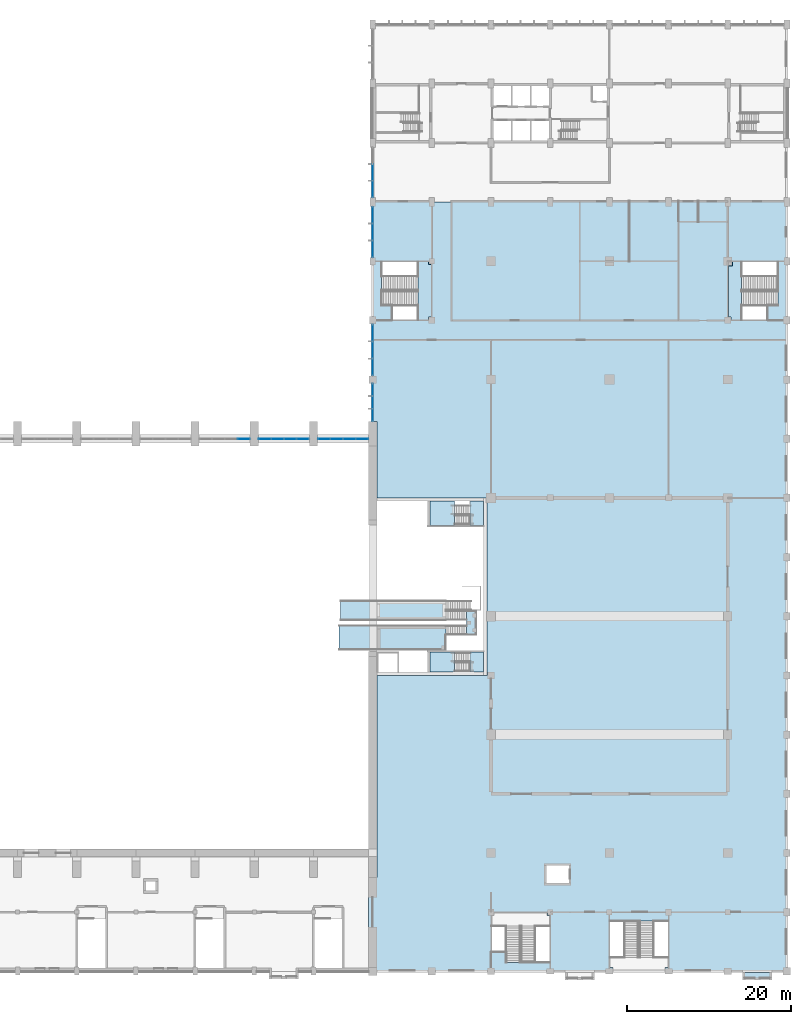
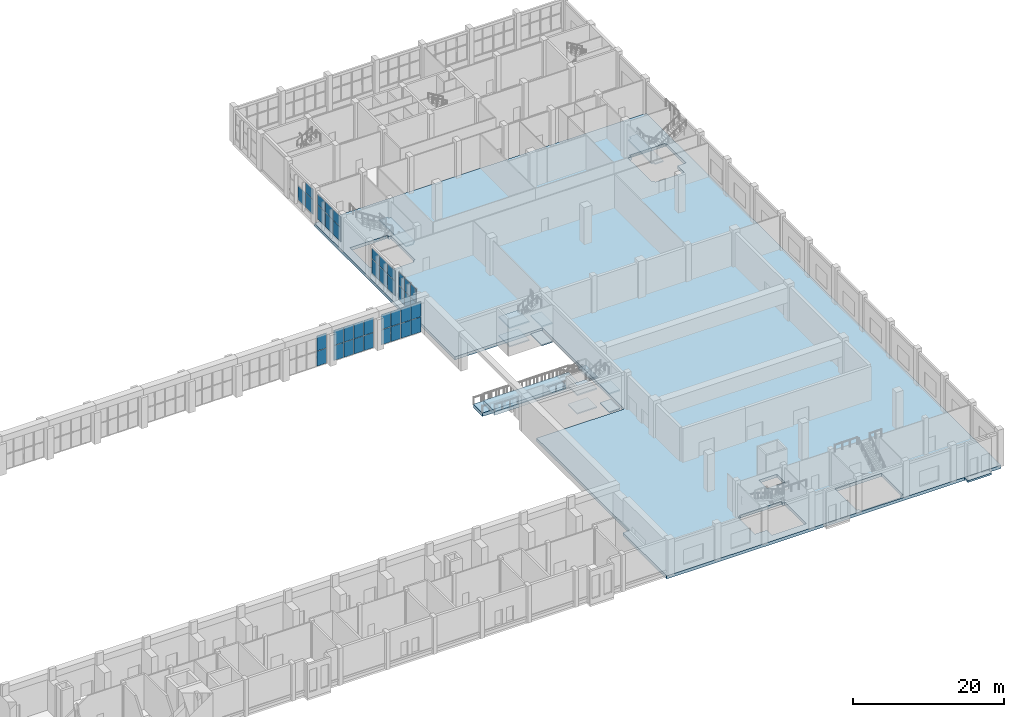
# One storey, part 23 of 44: 39 plates, 15 slabs, 12 elements without a shape of their own.
"""IFC4 building model written with IfcOpenShell, lengths in metres."""

from ifc_helpers import new_model, si_unit, direction, frame, origin, origin_2d, place, context, subcontext, project, spatial, polyline, rectangle, outline, extrude, material, layer, layer_set, type_object, element, aggregate, save


model = new_model("IFC4")

# Units and contexts
model_context = context("Model", 3, precision=1e-05, world=origin(), true_north=direction((0.0, 1.0)))
body_context = subcontext(model_context, "Body", "Model", "MODEL_VIEW")
ifc_project = project(units=[si_unit("LENGTHUNIT", "METRE"), si_unit("AREAUNIT", "SQUARE_METRE"), si_unit("VOLUMEUNIT", "CUBIC_METRE"), si_unit("PLANEANGLEUNIT", "RADIAN"), si_unit("MASSUNIT", "GRAM", prefix="KILO")], contexts=[model_context])

# Site, building, storey
site_placement = place(None, origin())
site = spatial("IfcSite", under=ifc_project, at=site_placement, CompositionType="ELEMENT")
building_placement = place(site_placement, origin())
building = spatial("IfcBuilding", under=site, at=building_placement, Name="Vermilion Court Aquatics Centre", CompositionType="ELEMENT")
storey_placement = place(building_placement, frame((0.0, 0.0, 6.0)))
storey = spatial("IfcBuildingStorey", under=building, at=storey_placement, Name="L01", CompositionType="ELEMENT", Elevation=6.0)

# Slabs
ifc_material_1 = material(Name="Concrete 5000 psi", Category="concrete")
ifc_layer_1 = layer(ifc_material_1, 0.199951171875)
ifc_layer_set_1 = layer_set([ifc_layer_1], Name="Diving Tower stair landing 200")
slab_type_1 = type_object("IfcSlabType", Name="Diving Tower stair landing 200", PredefinedType="LANDING", material=ifc_layer_set_1)
slab_1_placement = place(storey_placement, frame((0.0, 0.0, -0.199951171875)))
element("IfcSlab", 1, at=slab_1_placement, inside=storey, type_object=slab_type_1, Name="Diving Stair 1 floor landing L01", PredefinedType="LANDING", context=body_context, shape_type="SweptSolid", body=[
    extrude(outline(polyline([(155.85009765625, 36.39990234375), (157.5, 36.39990234375), (157.5, 38.875), (155.85009765625, 38.875), (155.85009765625, 36.39990234375)])), origin(), (0.0, 0.0, 1.0), 0.199951171875),
])
slab_2_placement = place(storey_placement, frame((0.0, 0.0, -0.199951171875)))
element("IfcSlab", 2, at=slab_2_placement, inside=storey, type_object=slab_type_1, Name="Diving Stair 2 floor landing L01", PredefinedType="LANDING", context=body_context, shape_type="SweptSolid", body=[
    extrude(outline(polyline([(155.85009765625, 54.27490234375), (157.5, 54.27490234375), (157.5, 57.199951171875), (155.85009765625, 57.199951171875), (155.85009765625, 54.27490234375)])), origin(), (0.0, 0.0, 1.0), 0.199951171875),
])

# Stair, slabs
ifc_material_2 = material(Name="Concrete 5000 psi", Category="concrete")
stair_type_1 = type_object("IfcStairType", Name="Diving Tower stair 1130", PredefinedType="HALF_TURN_STAIR", material=ifc_material_2)
stair_1_placement = place(storey_placement, origin())
stair_1 = element("IfcStair", 3, at=stair_1_placement, inside=storey, type_object=stair_type_1, Name="Exit stair ST-D1 L01", PredefinedType="HALF_TURN_STAIR")
slab_3_placement = place(storey_placement, frame((0.0, 0.0, 1.300048828125)))
slab_3 = element("IfcSlab", 4, at=slab_3_placement, type_object=slab_type_1, Name="ST-D1 landing 1", PredefinedType="LANDING", context=body_context, shape_type="SweptSolid", body=[
    extrude(outline(polyline([(150.949951171875, 36.39990234375), (153.9599609375, 36.39990234375), (153.9599609375, 38.875), (150.949951171875, 38.875), (150.949951171875, 36.39990234375)])), origin(), (0.0, 0.0, 1.0), 0.199951171875),
])
slab_4_placement = place(storey_placement, frame((0.0, 0.0, 2.800048828125)))
slab_4 = element("IfcSlab", 5, at=slab_4_placement, type_object=slab_type_1, Name="ST-D1 landing 2", PredefinedType="LANDING", context=body_context, shape_type="SweptSolid", body=[
    extrude(outline(polyline([(155.85009765625, 36.39990234375), (157.5, 36.39990234375), (157.5, 38.875), (155.85009765625, 38.875), (155.85009765625, 36.39990234375)])), origin(), (0.0, 0.0, 1.0), 0.199951171875),
])
slab_5_placement = place(storey_placement, frame((0.0, 0.0, 4.300048828125)))
slab_5 = element("IfcSlab", 6, at=slab_5_placement, type_object=slab_type_1, Name="ST-D1 landing 3", PredefinedType="LANDING", context=body_context, shape_type="SweptSolid", body=[
    extrude(outline(polyline([(150.949951171875, 36.39990234375), (153.9599609375, 36.39990234375), (153.9599609375, 38.875), (150.949951171875, 38.875), (150.949951171875, 36.39990234375)])), origin(), (0.0, 0.0, 1.0), 0.199951171875),
])
aggregate(stair_1, [slab_3, slab_4, slab_5])

stair_2_placement = place(storey_placement, origin())
stair_2 = element("IfcStair", 7, at=stair_2_placement, inside=storey, type_object=stair_type_1, Name="Exit stair ST-D2 L01", PredefinedType="HALF_TURN_STAIR")
slab_6_placement = place(storey_placement, frame((0.0, 0.0, 1.300048828125)))
slab_6 = element("IfcSlab", 8, at=slab_6_placement, type_object=slab_type_1, Name="ST-D2 landing 1", PredefinedType="LANDING", context=body_context, shape_type="SweptSolid", body=[
    extrude(outline(polyline([(150.949951171875, 54.27490234375), (153.9599609375, 54.27490234375), (153.9599609375, 57.199951171875), (150.949951171875, 57.199951171875), (150.949951171875, 54.27490234375)])), origin(), (0.0, 0.0, 1.0), 0.199951171875),
])
slab_7_placement = place(storey_placement, frame((0.0, 0.0, 2.800048828125)))
slab_7 = element("IfcSlab", 9, at=slab_7_placement, type_object=slab_type_1, Name="ST-D2 landing 2", PredefinedType="LANDING", context=body_context, shape_type="SweptSolid", body=[
    extrude(outline(polyline([(155.85009765625, 54.27490234375), (157.5, 54.27490234375), (157.5, 57.199951171875), (155.85009765625, 57.199951171875), (155.85009765625, 54.27490234375)])), origin(), (0.0, 0.0, 1.0), 0.199951171875),
])
slab_8_placement = place(storey_placement, frame((0.0, 0.0, 4.300048828125)))
slab_8 = element("IfcSlab", 10, at=slab_8_placement, type_object=slab_type_1, Name="ST-D2 landing 3", PredefinedType="LANDING", context=body_context, shape_type="SweptSolid", body=[
    extrude(outline(polyline([(150.949951171875, 54.27490234375), (153.9599609375, 54.27490234375), (153.9599609375, 57.199951171875), (150.949951171875, 57.199951171875), (150.949951171875, 54.27490234375)])), origin(), (0.0, 0.0, 1.0), 0.199951171875),
])
aggregate(stair_2, [slab_6, slab_7, slab_8])

# Curtain wall, plates
ifc_material_3 = material(Name="Aluminium 6063-T5", Category="aluminium")
curtain_wall_type_1 = type_object("IfcCurtainWallType", Name="Envelope curtain wall hall clerestory L01", PredefinedType="NOTDEFINED", material=ifc_material_3)
curtain_wall_1_placement = place(storey_placement, origin())
curtain_wall_1 = element("IfcCurtainWall", 11, at=curtain_wall_1_placement, inside=storey, type_object=curtain_wall_type_1, Name="Hall clerestory bay 16 L01", PredefinedType="NOTDEFINED")
ifc_material_4 = material(Name="Glazing", Category="glass")
ifc_layer_2 = layer(ifc_material_4, 0.06005859375)
ifc_layer_set_2 = layer_set([ifc_layer_2], Name="Envelope laminated glazing panel 60")
plate_type_1 = type_object("IfcPlateType", Name="Envelope laminated glazing panel 60", PredefinedType="CURTAIN_PANEL", material=ifc_layer_set_2)
plate_1_placement = place(storey_placement, frame((128.31005859375, 64.800048828125, 0.06005859375), z_axis=(0.0, 0.0, 1.0), x_axis=(1.0, 0.0, 0.0)))
plate_1 = element("IfcPlate", 12, at=plate_1_placement, type_object=plate_type_1, Name="ECW2 panel 4.1", PredefinedType="CURTAIN_PANEL", context=body_context, shape_type="SweptSolid", body=[
    extrude(rectangle(XDim=1.4599609375, YDim=0.06005859375, at=origin_2d()), origin(), (0.0, 0.0, 1.0), 2.409912109375),
])
plate_2_placement = place(storey_placement, frame((128.31005859375, 64.800048828125, 2.5302734375), z_axis=(0.0, 0.0, 1.0), x_axis=(1.0, 0.0, 0.0)))
plate_2 = element("IfcPlate", 13, at=plate_2_placement, type_object=plate_type_1, Name="ECW2 panel 4.2", PredefinedType="CURTAIN_PANEL", context=body_context, shape_type="SweptSolid", body=[
    extrude(rectangle(XDim=1.4599609375, YDim=0.06005859375, at=origin_2d()), origin(), (0.0, 0.0, 1.0), 2.409912109375),
])
aggregate(curtain_wall_1, [plate_1, plate_2])

curtain_wall_2_placement = place(storey_placement, origin())
curtain_wall_2 = element("IfcCurtainWall", 14, at=curtain_wall_2_placement, inside=storey, type_object=curtain_wall_type_1, Name="Hall clerestory bay 17 L01", PredefinedType="NOTDEFINED")
plate_3_placement = place(storey_placement, frame((130.889892578125, 64.800048828125, 0.06005859375), z_axis=(0.0, 0.0, 1.0), x_axis=(1.0, 0.0, 0.0)))
plate_3 = element("IfcPlate", 15, at=plate_3_placement, type_object=plate_type_1, Name="ECW2 panel 1.1", PredefinedType="CURTAIN_PANEL", context=body_context, shape_type="SweptSolid", body=[
    extrude(rectangle(XDim=1.4599609375, YDim=0.06005859375, at=origin_2d()), origin(), (0.0, 0.0, 1.0), 2.409912109375),
])
plate_4_placement = place(storey_placement, frame((130.889892578125, 64.800048828125, 2.5302734375), z_axis=(0.0, 0.0, 1.0), x_axis=(1.0, 0.0, 0.0)))
plate_4 = element("IfcPlate", 16, at=plate_4_placement, type_object=plate_type_1, Name="ECW2 panel 1.2", PredefinedType="CURTAIN_PANEL", context=body_context, shape_type="SweptSolid", body=[
    extrude(rectangle(XDim=1.4599609375, YDim=0.06005859375, at=origin_2d()), origin(), (0.0, 0.0, 1.0), 2.409912109375),
])
plate_5_placement = place(storey_placement, frame((132.425048828125, 64.800048828125, 0.06005859375), z_axis=(0.0, 0.0, 1.0), x_axis=(1.0, 0.0, 0.0)))
plate_5 = element("IfcPlate", 17, at=plate_5_placement, type_object=plate_type_1, Name="ECW2 panel 2.1", PredefinedType="CURTAIN_PANEL", context=body_context, shape_type="SweptSolid", body=[
    extrude(rectangle(XDim=1.489990234375, YDim=0.06005859375, at=origin_2d()), origin(), (0.0, 0.0, 1.0), 2.409912109375),
])
plate_6_placement = place(storey_placement, frame((132.425048828125, 64.800048828125, 2.5302734375), z_axis=(0.0, 0.0, 1.0), x_axis=(1.0, 0.0, 0.0)))
plate_6 = element("IfcPlate", 18, at=plate_6_placement, type_object=plate_type_1, Name="ECW2 panel 2.2", PredefinedType="CURTAIN_PANEL", context=body_context, shape_type="SweptSolid", body=[
    extrude(rectangle(XDim=1.489990234375, YDim=0.06005859375, at=origin_2d()), origin(), (0.0, 0.0, 1.0), 2.409912109375),
])
plate_7_placement = place(storey_placement, frame((133.97509765625, 64.800048828125, 0.06005859375), z_axis=(0.0, 0.0, 1.0), x_axis=(1.0, 0.0, 0.0)))
plate_7 = element("IfcPlate", 19, at=plate_7_placement, type_object=plate_type_1, Name="ECW2 panel 3.1", PredefinedType="CURTAIN_PANEL", context=body_context, shape_type="SweptSolid", body=[
    extrude(rectangle(XDim=1.489990234375, YDim=0.06005859375, at=origin_2d()), origin(), (0.0, 0.0, 1.0), 2.409912109375),
])
plate_8_placement = place(storey_placement, frame((133.97509765625, 64.800048828125, 2.5302734375), z_axis=(0.0, 0.0, 1.0), x_axis=(1.0, 0.0, 0.0)))
plate_8 = element("IfcPlate", 20, at=plate_8_placement, type_object=plate_type_1, Name="ECW2 panel 3.2", PredefinedType="CURTAIN_PANEL", context=body_context, shape_type="SweptSolid", body=[
    extrude(rectangle(XDim=1.489990234375, YDim=0.06005859375, at=origin_2d()), origin(), (0.0, 0.0, 1.0), 2.409912109375),
])
plate_9_placement = place(storey_placement, frame((135.510009765625, 64.800048828125, 0.06005859375), z_axis=(0.0, 0.0, 1.0), x_axis=(1.0, 0.0, 0.0)))
plate_9 = element("IfcPlate", 21, at=plate_9_placement, type_object=plate_type_1, Name="ECW2 panel 4.1", PredefinedType="CURTAIN_PANEL", context=body_context, shape_type="SweptSolid", body=[
    extrude(rectangle(XDim=1.4599609375, YDim=0.06005859375, at=origin_2d()), origin(), (0.0, 0.0, 1.0), 2.409912109375),
])
plate_10_placement = place(storey_placement, frame((135.510009765625, 64.800048828125, 2.5302734375), z_axis=(0.0, 0.0, 1.0), x_axis=(1.0, 0.0, 0.0)))
plate_10 = element("IfcPlate", 22, at=plate_10_placement, type_object=plate_type_1, Name="ECW2 panel 4.2", PredefinedType="CURTAIN_PANEL", context=body_context, shape_type="SweptSolid", body=[
    extrude(rectangle(XDim=1.4599609375, YDim=0.06005859375, at=origin_2d()), origin(), (0.0, 0.0, 1.0), 2.409912109375),
])
aggregate(curtain_wall_2, [plate_3, plate_4, plate_5, plate_6, plate_7, plate_8, plate_9, plate_10])

curtain_wall_3_placement = place(storey_placement, origin())
curtain_wall_3 = element("IfcCurtainWall", 23, at=curtain_wall_3_placement, inside=storey, type_object=curtain_wall_type_1, Name="Hall clerestory bay 18 L01", PredefinedType="NOTDEFINED")
plate_11_placement = place(storey_placement, frame((138.090087890625, 64.800048828125, 0.06005859375), z_axis=(0.0, 0.0, 1.0), x_axis=(1.0, 0.0, 0.0)))
plate_11 = element("IfcPlate", 24, at=plate_11_placement, type_object=plate_type_1, Name="ECW2 panel 1.1", PredefinedType="CURTAIN_PANEL", context=body_context, shape_type="SweptSolid", body=[
    extrude(rectangle(XDim=1.4599609375, YDim=0.06005859375, at=origin_2d()), origin(), (0.0, 0.0, 1.0), 2.409912109375),
])
plate_12_placement = place(storey_placement, frame((138.090087890625, 64.800048828125, 2.5302734375), z_axis=(0.0, 0.0, 1.0), x_axis=(1.0, 0.0, 0.0)))
plate_12 = element("IfcPlate", 25, at=plate_12_placement, type_object=plate_type_1, Name="ECW2 panel 1.2", PredefinedType="CURTAIN_PANEL", context=body_context, shape_type="SweptSolid", body=[
    extrude(rectangle(XDim=1.4599609375, YDim=0.06005859375, at=origin_2d()), origin(), (0.0, 0.0, 1.0), 2.409912109375),
])
plate_13_placement = place(storey_placement, frame((139.625, 64.800048828125, 0.06005859375), z_axis=(0.0, 0.0, 1.0), x_axis=(1.0, 0.0, 0.0)))
plate_13 = element("IfcPlate", 26, at=plate_13_placement, type_object=plate_type_1, Name="ECW2 panel 2.1", PredefinedType="CURTAIN_PANEL", context=body_context, shape_type="SweptSolid", body=[
    extrude(rectangle(XDim=1.489990234375, YDim=0.06005859375, at=origin_2d()), origin(), (0.0, 0.0, 1.0), 2.409912109375),
])
plate_14_placement = place(storey_placement, frame((139.625, 64.800048828125, 2.5302734375), z_axis=(0.0, 0.0, 1.0), x_axis=(1.0, 0.0, 0.0)))
plate_14 = element("IfcPlate", 27, at=plate_14_placement, type_object=plate_type_1, Name="ECW2 panel 2.2", PredefinedType="CURTAIN_PANEL", context=body_context, shape_type="SweptSolid", body=[
    extrude(rectangle(XDim=1.489990234375, YDim=0.06005859375, at=origin_2d()), origin(), (0.0, 0.0, 1.0), 2.409912109375),
])
plate_15_placement = place(storey_placement, frame((141.175048828125, 64.800048828125, 0.06005859375), z_axis=(0.0, 0.0, 1.0), x_axis=(1.0, 0.0, 0.0)))
plate_15 = element("IfcPlate", 28, at=plate_15_placement, type_object=plate_type_1, Name="ECW2 panel 3.1", PredefinedType="CURTAIN_PANEL", context=body_context, shape_type="SweptSolid", body=[
    extrude(rectangle(XDim=1.489990234375, YDim=0.06005859375, at=origin_2d()), origin(), (0.0, 0.0, 1.0), 2.409912109375),
])
plate_16_placement = place(storey_placement, frame((141.175048828125, 64.800048828125, 2.5302734375), z_axis=(0.0, 0.0, 1.0), x_axis=(1.0, 0.0, 0.0)))
plate_16 = element("IfcPlate", 29, at=plate_16_placement, type_object=plate_type_1, Name="ECW2 panel 3.2", PredefinedType="CURTAIN_PANEL", context=body_context, shape_type="SweptSolid", body=[
    extrude(rectangle(XDim=1.489990234375, YDim=0.06005859375, at=origin_2d()), origin(), (0.0, 0.0, 1.0), 2.409912109375),
])
plate_17_placement = place(storey_placement, frame((142.7099609375, 64.800048828125, 0.06005859375), z_axis=(0.0, 0.0, 1.0), x_axis=(1.0, 0.0, 0.0)))
plate_17 = element("IfcPlate", 30, at=plate_17_placement, type_object=plate_type_1, Name="ECW2 panel 4.1", PredefinedType="CURTAIN_PANEL", context=body_context, shape_type="SweptSolid", body=[
    extrude(rectangle(XDim=1.4599609375, YDim=0.06005859375, at=origin_2d()), origin(), (0.0, 0.0, 1.0), 2.409912109375),
])
plate_18_placement = place(storey_placement, frame((142.7099609375, 64.800048828125, 2.5302734375), z_axis=(0.0, 0.0, 1.0), x_axis=(1.0, 0.0, 0.0)))
plate_18 = element("IfcPlate", 31, at=plate_18_placement, type_object=plate_type_1, Name="ECW2 panel 4.2", PredefinedType="CURTAIN_PANEL", context=body_context, shape_type="SweptSolid", body=[
    extrude(rectangle(XDim=1.4599609375, YDim=0.06005859375, at=origin_2d()), origin(), (0.0, 0.0, 1.0), 2.409912109375),
])
aggregate(curtain_wall_3, [plate_11, plate_12, plate_13, plate_14, plate_15, plate_16, plate_17, plate_18])

# Slabs
ifc_material_5 = material(Name="Concrete 5000 psi", Category="concrete")
ifc_layer_3 = layer(ifc_material_5, 0.550048828125)
ifc_layer_set_3 = layer_set([ifc_layer_3], Name="Hall diving platform slab 550")
slab_type_2 = type_object("IfcSlabType", Name="Hall diving platform slab 550", PredefinedType="FLOOR", material=ifc_layer_set_3)
slab_9_placement = place(storey_placement, frame((0.0, 0.0, 0.949951171875)))
element("IfcSlab", 32, at=slab_9_placement, inside=storey, type_object=slab_type_2, Name="Diving platform 7.5 m", PredefinedType="FLOOR", context=body_context, shape_type="SweptSolid", body=[
    extrude(outline(polyline([(140.10009765625, 42.699951171875), (152.89990234375, 42.699951171875), (152.89990234375, 45.10009765625), (140.10009765625, 45.10009765625), (140.10009765625, 42.699951171875)])), origin(), (0.0, 0.0, 1.0), 0.550048828125),
])
ifc_material_6 = material(Name="Concrete 5000 psi", Category="concrete")
ifc_layer_4 = layer(ifc_material_6, 0.60009765625)
ifc_layer_set_4 = layer_set([ifc_layer_4], Name="Hall diving platform slab 600")
slab_type_3 = type_object("IfcSlabType", Name="Hall diving platform slab 600", PredefinedType="FLOOR", material=ifc_layer_set_4)
slab_10_placement = place(storey_placement, frame((0.0, 0.0, 3.39990234375)))
element("IfcSlab", 33, at=slab_10_placement, inside=storey, type_object=slab_type_3, Name="Diving platform 10 m", PredefinedType="FLOOR", context=body_context, shape_type="SweptSolid", body=[
    extrude(outline(polyline([(139.89990234375, 39.10009765625), (152.89990234375, 39.10009765625), (152.89990234375, 42.10009765625), (139.89990234375, 42.10009765625), (139.89990234375, 39.10009765625)])), origin(), (0.0, 0.0, 1.0), 0.60009765625),
])

# Stair, slab
ifc_material_7 = material(Name="Steel ASTM A992 Grade 50", Category="steel")
stair_type_2 = type_object("IfcStairType", Name="Hall diving upper stair", PredefinedType="HALF_TURN_STAIR", material=ifc_material_7)
stair_3_placement = place(storey_placement, origin())
stair_3 = element("IfcStair", 34, at=stair_3_placement, inside=storey, type_object=stair_type_2, Name="Diving tower stair B", PredefinedType="HALF_TURN_STAIR")
ifc_material_8 = material(Name="Concrete 5000 psi", Category="concrete")
ifc_layer_5 = layer(ifc_material_8, 0.300048828125)
ifc_layer_set_5 = layer_set([ifc_layer_5], Name="Hall diving stair landing 300")
slab_type_4 = type_object("IfcSlabType", Name="Hall diving stair landing 300", PredefinedType="LANDING", material=ifc_layer_set_5)
slab_11_placement = place(storey_placement, frame((0.0, 0.0, 2.449951171875)))
slab_11 = element("IfcSlab", 35, at=slab_11_placement, type_object=slab_type_4, Name="HT3 landing 1", PredefinedType="LANDING", context=body_context, shape_type="SweptSolid", body=[
    extrude(outline(polyline([(155.419921875, 40.89990234375), (156.6201171875, 40.89990234375), (156.6201171875, 43.89990234375), (155.419921875, 43.89990234375), (155.419921875, 40.89990234375)])), origin(), (0.0, 0.0, 1.0), 0.300048828125),
])
aggregate(stair_3, [slab_11])

# Curtain wall, plates
ifc_material_9 = material(Name="Aluminium 6063-T5", Category="aluminium")
ifc_layer_6 = layer(ifc_material_9, 0.14990234375)
ifc_layer_set_6 = layer_set([ifc_layer_6], Name="Podium curtain wall bay, 1800 module")
curtain_wall_type_2 = type_object("IfcCurtainWallType", Name="Podium curtain wall bay, 1800 module", PredefinedType="NOTDEFINED", material=ifc_layer_set_6)
curtain_wall_4_placement = place(storey_placement, origin())
curtain_wall_4 = element("IfcCurtainWall", 36, at=curtain_wall_4_placement, inside=storey, type_object=curtain_wall_type_2, Name="Curtain wall L01", PredefinedType="NOTDEFINED")
ifc_material_10 = material(Name="Glazing", Category="glass")
ifc_layer_7 = layer(ifc_material_10, 0.028076171875)
ifc_layer_set_7 = layer_set([ifc_layer_7], Name="Podium curtain wall glass panel 28")
plate_type_2 = type_object("IfcPlateType", Name="Podium curtain wall glass panel 28", PredefinedType="CURTAIN_PANEL", material=ifc_layer_set_7)
plate_19_placement = place(storey_placement, frame((144.0, 67.68994140625, 0.9599609375), z_axis=(0.0, 0.0, 1.0), x_axis=(0.0, 1.0, 0.0)))
plate_19 = element("IfcPlate", 37, at=plate_19_placement, type_object=plate_type_2, Name="PG2 panel 1.1", PredefinedType="CURTAIN_PANEL", context=body_context, shape_type="SweptSolid", body=[
    extrude(rectangle(XDim=1.4599609375, YDim=0.028076171875, at=origin_2d()), origin(), (0.0, 0.0, 1.0), 2.31005859375),
])
plate_20_placement = place(storey_placement, frame((144.0, 67.68994140625, 3.330078125), z_axis=(0.0, 0.0, 1.0), x_axis=(0.0, 1.0, 0.0)))
plate_20 = element("IfcPlate", 38, at=plate_20_placement, type_object=plate_type_2, Name="PG2 panel 1.2", PredefinedType="CURTAIN_PANEL", context=body_context, shape_type="SweptSolid", body=[
    extrude(rectangle(XDim=1.4599609375, YDim=0.028076171875, at=origin_2d()), origin(), (0.0, 0.0, 1.0), 2.110107421875),
])
plate_21_placement = place(storey_placement, frame((144.0, 69.22509765625, 0.9599609375), z_axis=(0.0, 0.0, 1.0), x_axis=(0.0, 1.0, 0.0)))
plate_21 = element("IfcPlate", 39, at=plate_21_placement, type_object=plate_type_2, Name="PG2 panel 2.1", PredefinedType="CURTAIN_PANEL", context=body_context, shape_type="SweptSolid", body=[
    extrude(rectangle(XDim=1.489990234375, YDim=0.028076171875, at=origin_2d()), origin(), (0.0, 0.0, 1.0), 2.31005859375),
])
plate_22_placement = place(storey_placement, frame((144.0, 69.22509765625, 3.330078125), z_axis=(0.0, 0.0, 1.0), x_axis=(0.0, 1.0, 0.0)))
plate_22 = element("IfcPlate", 40, at=plate_22_placement, type_object=plate_type_2, Name="PG2 panel 2.2", PredefinedType="CURTAIN_PANEL", context=body_context, shape_type="SweptSolid", body=[
    extrude(rectangle(XDim=1.489990234375, YDim=0.028076171875, at=origin_2d()), origin(), (0.0, 0.0, 1.0), 2.110107421875),
])
plate_23_placement = place(storey_placement, frame((144.0, 70.760009765625, 0.9599609375), z_axis=(0.0, 0.0, 1.0), x_axis=(0.0, 1.0, 0.0)))
plate_23 = element("IfcPlate", 41, at=plate_23_placement, type_object=plate_type_2, Name="PG2 panel 3.1", PredefinedType="CURTAIN_PANEL", context=body_context, shape_type="SweptSolid", body=[
    extrude(rectangle(XDim=1.4599609375, YDim=0.028076171875, at=origin_2d()), origin(), (0.0, 0.0, 1.0), 2.31005859375),
])
plate_24_placement = place(storey_placement, frame((144.0, 70.760009765625, 3.330078125), z_axis=(0.0, 0.0, 1.0), x_axis=(0.0, 1.0, 0.0)))
plate_24 = element("IfcPlate", 42, at=plate_24_placement, type_object=plate_type_2, Name="PG2 panel 3.2", PredefinedType="CURTAIN_PANEL", context=body_context, shape_type="SweptSolid", body=[
    extrude(rectangle(XDim=1.4599609375, YDim=0.028076171875, at=origin_2d()), origin(), (0.0, 0.0, 1.0), 2.110107421875),
])
aggregate(curtain_wall_4, [plate_19, plate_20, plate_21, plate_22, plate_23, plate_24])

curtain_wall_5_placement = place(storey_placement, origin())
curtain_wall_5 = element("IfcCurtainWall", 43, at=curtain_wall_5_placement, inside=storey, type_object=curtain_wall_type_2, Name="Curtain wall L01", PredefinedType="NOTDEFINED")
plate_25_placement = place(storey_placement, frame((144.0, 73.514892578125, 0.9599609375), z_axis=(0.0, 0.0, 1.0), x_axis=(0.0, 1.0, 0.0)))
plate_25 = element("IfcPlate", 44, at=plate_25_placement, type_object=plate_type_2, Name="PG2 panel 1.1", PredefinedType="CURTAIN_PANEL", context=body_context, shape_type="SweptSolid", body=[
    extrude(rectangle(XDim=2.010009765625, YDim=0.028076171875, at=origin_2d()), origin(), (0.0, 0.0, 1.0), 2.31005859375),
])
plate_26_placement = place(storey_placement, frame((144.0, 73.514892578125, 3.330078125), z_axis=(0.0, 0.0, 1.0), x_axis=(0.0, 1.0, 0.0)))
plate_26 = element("IfcPlate", 45, at=plate_26_placement, type_object=plate_type_2, Name="PG2 panel 1.2", PredefinedType="CURTAIN_PANEL", context=body_context, shape_type="SweptSolid", body=[
    extrude(rectangle(XDim=2.010009765625, YDim=0.028076171875, at=origin_2d()), origin(), (0.0, 0.0, 1.0), 1.7099609375),
])
plate_27_placement = place(storey_placement, frame((144.0, 75.60009765625, 0.9599609375), z_axis=(0.0, 0.0, 1.0), x_axis=(0.0, 1.0, 0.0)))
plate_27 = element("IfcPlate", 46, at=plate_27_placement, type_object=plate_type_2, Name="PG2 panel 2.1", PredefinedType="CURTAIN_PANEL", context=body_context, shape_type="SweptSolid", body=[
    extrude(rectangle(XDim=2.0400390625, YDim=0.028076171875, at=origin_2d()), origin(), (0.0, 0.0, 1.0), 2.31005859375),
])
plate_28_placement = place(storey_placement, frame((144.0, 75.60009765625, 3.330078125), z_axis=(0.0, 0.0, 1.0), x_axis=(0.0, 1.0, 0.0)))
plate_28 = element("IfcPlate", 47, at=plate_28_placement, type_object=plate_type_2, Name="PG2 panel 2.2", PredefinedType="CURTAIN_PANEL", context=body_context, shape_type="SweptSolid", body=[
    extrude(rectangle(XDim=2.0400390625, YDim=0.028076171875, at=origin_2d()), origin(), (0.0, 0.0, 1.0), 1.7099609375),
])
plate_29_placement = place(storey_placement, frame((144.0, 77.68505859375, 0.9599609375), z_axis=(0.0, 0.0, 1.0), x_axis=(0.0, 1.0, 0.0)))
plate_29 = element("IfcPlate", 48, at=plate_29_placement, type_object=plate_type_2, Name="PG2 panel 3.1", PredefinedType="CURTAIN_PANEL", context=body_context, shape_type="SweptSolid", body=[
    extrude(rectangle(XDim=2.010009765625, YDim=0.028076171875, at=origin_2d()), origin(), (0.0, 0.0, 1.0), 2.31005859375),
])
plate_30_placement = place(storey_placement, frame((144.0, 77.68505859375, 3.330078125), z_axis=(0.0, 0.0, 1.0), x_axis=(0.0, 1.0, 0.0)))
plate_30 = element("IfcPlate", 49, at=plate_30_placement, type_object=plate_type_2, Name="PG2 panel 3.2", PredefinedType="CURTAIN_PANEL", context=body_context, shape_type="SweptSolid", body=[
    extrude(rectangle(XDim=2.010009765625, YDim=0.028076171875, at=origin_2d()), origin(), (0.0, 0.0, 1.0), 1.7099609375),
])
aggregate(curtain_wall_5, [plate_25, plate_26, plate_27, plate_28, plate_29, plate_30])

curtain_wall_6_placement = place(storey_placement, origin())
curtain_wall_6 = element("IfcCurtainWall", 50, at=curtain_wall_6_placement, inside=storey, type_object=curtain_wall_type_2, Name="Curtain wall L01", PredefinedType="NOTDEFINED")
plate_31_placement = place(storey_placement, frame((144.0, 87.8984375, 0.9599609375), z_axis=(0.0, 0.0, 1.0), x_axis=(0.0, 1.0, 0.0)))
plate_31 = element("IfcPlate", 51, at=plate_31_placement, type_object=plate_type_2, Name="PG2 panel 1.1", PredefinedType="CURTAIN_PANEL", context=body_context, shape_type="SweptSolid", body=[
    extrude(rectangle(XDim=1.9765625, YDim=0.028076171875, at=origin_2d()), origin(), (0.0, 0.0, 1.0), 2.31005859375),
])
plate_32_placement = place(storey_placement, frame((144.0, 87.8984375, 3.330078125), z_axis=(0.0, 0.0, 1.0), x_axis=(0.0, 1.0, 0.0)))
plate_32 = element("IfcPlate", 52, at=plate_32_placement, type_object=plate_type_2, Name="PG2 panel 1.2", PredefinedType="CURTAIN_PANEL", context=body_context, shape_type="SweptSolid", body=[
    extrude(rectangle(XDim=1.9765625, YDim=0.028076171875, at=origin_2d()), origin(), (0.0, 0.0, 1.0), 1.7099609375),
])
plate_33_placement = place(storey_placement, frame((144.0, 89.949951171875, 0.9599609375), z_axis=(0.0, 0.0, 1.0), x_axis=(0.0, 1.0, 0.0)))
plate_33 = element("IfcPlate", 53, at=plate_33_placement, type_object=plate_type_2, Name="PG2 panel 2.1", PredefinedType="CURTAIN_PANEL", context=body_context, shape_type="SweptSolid", body=[
    extrude(rectangle(XDim=2.006591796875, YDim=0.028076171875, at=origin_2d()), origin(), (0.0, 0.0, 1.0), 2.31005859375),
])
plate_34_placement = place(storey_placement, frame((144.0, 89.949951171875, 3.330078125), z_axis=(0.0, 0.0, 1.0), x_axis=(0.0, 1.0, 0.0)))
plate_34 = element("IfcPlate", 54, at=plate_34_placement, type_object=plate_type_2, Name="PG2 panel 2.2", PredefinedType="CURTAIN_PANEL", context=body_context, shape_type="SweptSolid", body=[
    extrude(rectangle(XDim=2.006591796875, YDim=0.028076171875, at=origin_2d()), origin(), (0.0, 0.0, 1.0), 1.7099609375),
])
plate_35_placement = place(storey_placement, frame((144.0, 92.001708984375, 0.9599609375), z_axis=(0.0, 0.0, 1.0), x_axis=(0.0, 1.0, 0.0)))
plate_35 = element("IfcPlate", 55, at=plate_35_placement, type_object=plate_type_2, Name="PG2 panel 3.1", PredefinedType="CURTAIN_PANEL", context=body_context, shape_type="SweptSolid", body=[
    extrude(rectangle(XDim=1.9765625, YDim=0.028076171875, at=origin_2d()), origin(), (0.0, 0.0, 1.0), 2.31005859375),
])
plate_36_placement = place(storey_placement, frame((144.0, 92.001708984375, 3.330078125), z_axis=(0.0, 0.0, 1.0), x_axis=(0.0, 1.0, 0.0)))
plate_36 = element("IfcPlate", 56, at=plate_36_placement, type_object=plate_type_2, Name="PG2 panel 3.2", PredefinedType="CURTAIN_PANEL", context=body_context, shape_type="SweptSolid", body=[
    extrude(rectangle(XDim=1.9765625, YDim=0.028076171875, at=origin_2d()), origin(), (0.0, 0.0, 1.0), 1.7099609375),
])
aggregate(curtain_wall_6, [plate_31, plate_32, plate_33, plate_34, plate_35, plate_36])

curtain_wall_7_placement = place(storey_placement, origin())
curtain_wall_7 = element("IfcCurtainWall", 57, at=curtain_wall_7_placement, inside=storey, type_object=curtain_wall_type_2, Name="Curtain wall L01", PredefinedType="NOTDEFINED")
plate_37_placement = place(storey_placement, frame((144.0, 95.181640625, 0.9599609375), z_axis=(0.0, 0.0, 1.0), x_axis=(0.0, 1.0, 0.0)))
plate_37 = element("IfcPlate", 58, at=plate_37_placement, type_object=plate_type_2, Name="PG2 panel 1.1", PredefinedType="CURTAIN_PANEL", context=body_context, shape_type="SweptSolid", body=[
    extrude(rectangle(XDim=1.943359375, YDim=0.028076171875, at=origin_2d()), origin(), (0.0, 0.0, 1.0), 2.31005859375),
])
plate_38_placement = place(storey_placement, frame((144.0, 95.181640625, 3.330078125), z_axis=(0.0, 0.0, 1.0), x_axis=(0.0, 1.0, 0.0)))
plate_38 = element("IfcPlate", 59, at=plate_38_placement, type_object=plate_type_2, Name="PG2 panel 1.2", PredefinedType="CURTAIN_PANEL", context=body_context, shape_type="SweptSolid", body=[
    extrude(rectangle(XDim=1.943359375, YDim=0.028076171875, at=origin_2d()), origin(), (0.0, 0.0, 1.0), 1.7099609375),
])
plate_39_placement = place(storey_placement, frame((144.0, 97.199951171875, 0.9599609375), z_axis=(0.0, 0.0, 1.0), x_axis=(0.0, 1.0, 0.0)))
plate_39 = element("IfcPlate", 60, at=plate_39_placement, type_object=plate_type_2, Name="PG2 panel 2.1", PredefinedType="CURTAIN_PANEL", context=body_context, shape_type="SweptSolid", body=[
    extrude(rectangle(XDim=1.973388671875, YDim=0.028076171875, at=origin_2d()), origin(), (0.0, 0.0, 1.0), 2.31005859375),
])
aggregate(curtain_wall_7, [plate_37, plate_38, plate_39])

# Slabs
ifc_material_11 = material(Name="Concrete 5000 psi", Category="concrete")
ifc_layer_8 = layer(ifc_material_11, 0.5)
ifc_layer_set_8 = layer_set([ifc_layer_8], Name="Podium floor plate 500")
slab_type_5 = type_object("IfcSlabType", Name="Podium floor plate 500", PredefinedType="FLOOR", material=ifc_layer_set_8)
slab_12_placement = place(storey_placement, frame((0.0, 0.0, -0.5)))
element("IfcSlab", 61, at=slab_12_placement, inside=storey, type_object=slab_type_5, Name="L01 floor plate", PredefinedType="FLOOR", context=body_context, shape_type="SweptSolid", body=[
    extrude(outline(polyline([(194.550048828125, -0.14990234375), (143.5, -0.14990234375), (143.5, 11.39990234375), (144.5, 11.39990234375), (144.5, 36.0), (157.89990234375, 36.0), (157.89990234375, 57.60009765625), (144.5, 57.60009765625), (144.5, 66.89990234375), (143.85009765625, 66.89990234375), (143.85009765625, 93.60009765625), (194.550048828125, 93.60009765625), (194.550048828125, -0.14990234375)]), holes=[polyline([(179.550048828125, 0.35009765625), (179.550048828125, 0.449951171875), (179.9375, 0.449951171875), (179.9375, 6.136962890625), (172.862548828125, 6.136962890625), (172.862548828125, 0.449951171875), (173.25, 0.449951171875), (173.25, 0.35009765625), (173.25, 0.0625), (179.550048828125, 0.0625), (179.550048828125, 0.35009765625)]), polyline([(158.77490234375, 7.137451171875), (158.77490234375, 6.824951171875), (158.46240234375, 6.824951171875), (158.46240234375, 2.362548828125), (160.260009765625, 2.362548828125), (160.260009765625, 1.06298828125), (165.53759765625, 1.06298828125), (165.53759765625, 6.824951171875), (165.22509765625, 6.824951171875), (165.22509765625, 7.137451171875), (158.77490234375, 7.137451171875)]), polyline([(150.800048828125, 79.60009765625), (151.137451171875, 79.60009765625), (151.137451171875, 86.0), (150.800048828125, 86.0), (150.800048828125, 86.33740234375), (145.06298828125, 86.33740234375), (145.06298828125, 81.06005859375), (146.362548828125, 81.06005859375), (146.362548828125, 79.262451171875), (150.800048828125, 79.262451171875), (150.800048828125, 79.60009765625)]), polyline([(187.262451171875, 79.60009765625), (187.60009765625, 79.60009765625), (187.60009765625, 79.262451171875), (192.03759765625, 79.262451171875), (192.03759765625, 81.06005859375), (193.3369140625, 81.06005859375), (193.3369140625, 86.33740234375), (187.75, 86.33740234375), (187.75, 85.85009765625), (187.262451171875, 85.85009765625), (187.262451171875, 79.60009765625)]), polyline([(165.125, 12.875), (165.125, 10.72509765625), (167.875, 10.72509765625), (167.875, 12.875), (165.125, 12.875)])]), origin(), (0.0, 0.0, 1.0), 0.5),
])
ifc_material_12 = material(Name="Concrete 5000 psi", Category="concrete")
ifc_layer_9 = layer(ifc_material_12, 0.300048828125)
ifc_layer_set_9 = layer_set([ifc_layer_9], Name="Podium projecting bay floor slab 300")
slab_type_6 = type_object("IfcSlabType", Name="Podium projecting bay floor slab 300", PredefinedType="FLOOR", material=ifc_layer_set_9)
slab_13_placement = place(storey_placement, frame((0.0, 0.0, -0.300048828125)))
element("IfcSlab", 62, at=slab_13_placement, inside=storey, type_object=slab_type_6, Name="Projecting bay floor slab L01", PredefinedType="FLOOR", context=body_context, shape_type="SweptSolid", body=[
    extrude(outline(polyline([(192.60009765625, -1.050048828125), (192.60009765625, -0.14990234375), (189.0, -0.14990234375), (189.0, -1.050048828125), (192.60009765625, -1.050048828125)])), origin(), (0.0, 0.0, 1.0), 0.300048828125),
])

# Stair, slab
ifc_material_13 = material(Name="Concrete 5000 psi", Category="concrete")
stair_type_3 = type_object("IfcStairType", Name="Podium exit stair 1600 clear, two flights", PredefinedType="TWO_STRAIGHT_RUN_STAIR", material=ifc_material_13)
stair_4_placement = place(storey_placement, origin())
stair_4 = element("IfcStair", 63, at=stair_4_placement, inside=storey, type_object=stair_type_3, Name="Exit stair P3", PredefinedType="TWO_STRAIGHT_RUN_STAIR")
ifc_material_14 = material(Name="Concrete 5000 psi", Category="concrete")
ifc_layer_10 = layer(ifc_material_14, 0.199951171875)
ifc_layer_set_10 = layer_set([ifc_layer_10], Name="Podium stair landing 200")
slab_type_7 = type_object("IfcSlabType", Name="Podium stair landing 200", PredefinedType="LANDING", material=ifc_layer_set_10)
slab_14_placement = place(storey_placement, frame((0.0, 0.0, 2.800048828125)))
slab_14 = element("IfcSlab", 64, at=slab_14_placement, type_object=slab_type_7, Name="ST-P3 landing 1", PredefinedType="LANDING", context=body_context, shape_type="SweptSolid", body=[
    extrude(outline(polyline([(150.800048828125, 79.60009765625), (150.800048828125, 79.262451171875), (149.534423828125, 79.262451171875), (149.534423828125, 86.33740234375), (150.800048828125, 86.33740234375), (150.800048828125, 86.0), (151.137451171875, 86.0), (151.137451171875, 79.60009765625), (150.800048828125, 79.60009765625)])), origin(), (0.0, 0.0, 1.0), 0.199951171875),
])
aggregate(stair_4, [slab_14])

stair_5_placement = place(storey_placement, origin())
stair_5 = element("IfcStair", 65, at=stair_5_placement, inside=storey, type_object=stair_type_3, Name="Exit stair P4", PredefinedType="TWO_STRAIGHT_RUN_STAIR")
slab_15_placement = place(storey_placement, frame((0.0, 0.0, 2.800048828125)))
slab_15 = element("IfcSlab", 66, at=slab_15_placement, type_object=slab_type_7, Name="ST-P4 landing 1", PredefinedType="LANDING", context=body_context, shape_type="SweptSolid", body=[
    extrude(outline(polyline([(187.262451171875, 79.60009765625), (187.262451171875, 85.85009765625), (187.75, 85.85009765625), (187.75, 86.33740234375), (188.865478515625, 86.33740234375), (188.865478515625, 79.262451171875), (187.60009765625, 79.262451171875), (187.60009765625, 79.60009765625), (187.262451171875, 79.60009765625)])), origin(), (0.0, 0.0, 1.0), 0.199951171875),
])
aggregate(stair_5, [slab_15])

save(model, "model.ifc")
